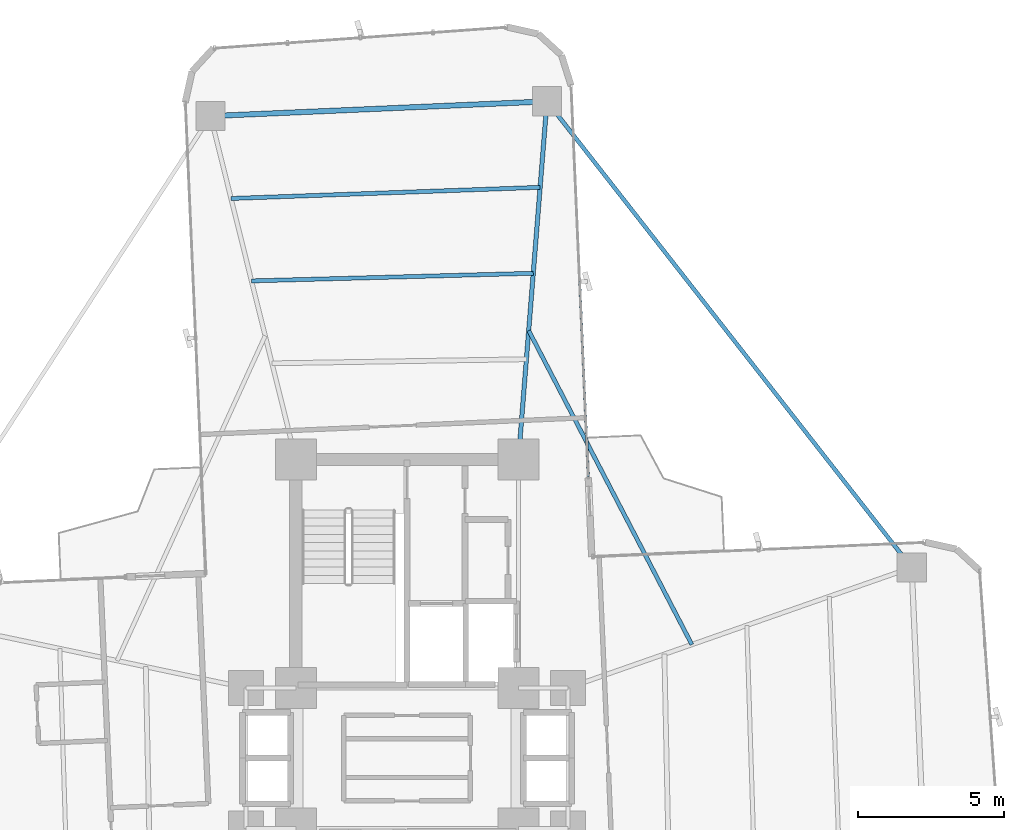
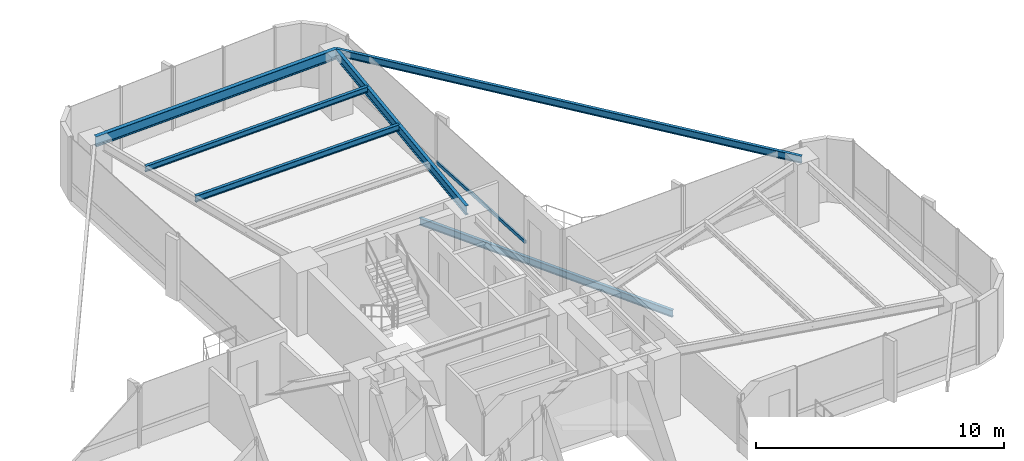
# One storey, part 18 of 26: 6 beams, 1 member, 1 element without a shape of its own.
"""IFC4 building model written with IfcOpenShell, lengths in metres."""

from ifc_helpers import new_model, si_unit, direction, frame, origin, origin_2d, place, context, subcontext, project, spatial, hollow_rectangle, i_section, extrude, source, transform, mapped, material, material_profile, profile_set, type_object, element, aggregate, save


model = new_model("IFC4")

# Units and contexts
model_context = context("Model", 3, precision=1e-05, world=origin(), true_north=direction((0.0, 1.0)))
body_context = subcontext(model_context, "Body", "Model", "MODEL_VIEW")
ifc_project = project(units=[si_unit("LENGTHUNIT", "METRE"), si_unit("AREAUNIT", "SQUARE_METRE"), si_unit("VOLUMEUNIT", "CUBIC_METRE"), si_unit("PLANEANGLEUNIT", "RADIAN"), si_unit("MASSUNIT", "GRAM", prefix="KILO")], contexts=[model_context])

# Site, building, storey
site_placement = place(None, origin())
site = spatial("IfcSite", under=ifc_project, at=site_placement, CompositionType="ELEMENT")
building_placement = place(site_placement, origin())
building = spatial("IfcBuilding", under=site, at=building_placement, Name="Sahyath Konkavel Grand Hotel", CompositionType="ELEMENT")
storey_placement = place(building_placement, frame((0.0, 0.0, 96.89990234375)))
storey = spatial("IfcBuildingStorey", under=building, at=storey_placement, Name="L26", CompositionType="ELEMENT", Elevation=96.89990234375)

# Beams
ifc_material_1 = material(Name="Steel E350", Category="steel")
ifc_material_profile_1 = material_profile(ifc_material_1, i_section(OverallWidth=0.14990234375, OverallDepth=0.449951171875, WebThickness=0.009521484375, FlangeThickness=0.017333984375, FilletRadius=0.014892578125, at=origin_2d()), Name="ISMB 450")
ifc_profile_set_1 = profile_set([ifc_material_profile_1], Name="Steel E350")
beam_type_1 = type_object("IfcBeamType", Name="BM-ISMB450", PredefinedType="BEAM", material=ifc_profile_set_1)
shared_shape_1 = source(origin(), body_context, "Body", "SweptSolid", [
    extrude(i_section(OverallWidth=0.14990234375, OverallDepth=0.449951171875, WebThickness=0.009521484375, FlangeThickness=0.017333984375, FilletRadius=0.014892578125, at=origin_2d()), origin(), (0.0, 0.0, 1.0), 12.2685546875),
])
beam_1_placement = place(storey_placement, frame((3.800048828125, 10.199951171875, 2.885009765625), z_axis=(0.079558563357, 0.996830193662, 0.0), x_axis=(-0.996830193662, 0.079558563357, 0.0)))
element("IfcBeam", 1, at=beam_1_placement, inside=storey, type_object=beam_type_1, Name="L26 Cruciform Radial Girder NA", PredefinedType="BEAM", context=body_context, shape_type="MappedRepresentation", body=[
    mapped(shared_shape_1, transform((0.0, 0.0, 0.0), scale=1.0)),
])
ifc_material_profile_2 = material_profile(ifc_material_1, i_section(OverallWidth=0.179931640625, OverallDepth=0.5, WebThickness=0.01025390625, FlangeThickness=0.01708984375, FilletRadius=0.01708984375, at=origin_2d()), Name="ISMB 500")
ifc_profile_set_2 = profile_set([ifc_material_profile_2], Name="Steel E350")
beam_type_2 = type_object("IfcBeamType", Name="BM-ISMB500", PredefinedType="BEAM", material=ifc_profile_set_2)
shared_shape_2 = source(origin(), body_context, "Body", "SweptSolid", [
    extrude(i_section(OverallWidth=0.179931640625, OverallDepth=0.5, WebThickness=0.01025390625, FlangeThickness=0.01708984375, FilletRadius=0.01708984375, at=origin_2d()), origin(), (0.0, 0.0, 1.0), 11.5),
])
beam_2_placement = place(storey_placement, frame((4.776123046875, 22.4296875, 2.860107421875), z_axis=(-0.99904788879, -0.043627008892, 0.0), x_axis=(0.043627008892, -0.99904788879, 0.0)))
element("IfcBeam", 2, at=beam_2_placement, inside=storey, type_object=beam_type_2, Name="L26 Wing Tip Edge Beam N", PredefinedType="BEAM", context=body_context, shape_type="MappedRepresentation", body=[
    mapped(shared_shape_2, transform((0.0, 0.0, 0.0), scale=1.0)),
])
ifc_material_profile_3 = material_profile(ifc_material_1, i_section(OverallWidth=0.139892578125, OverallDepth=0.35009765625, WebThickness=0.008056640625, FlangeThickness=0.01416015625, FilletRadius=0.013916015625, at=origin_2d()), Name="ISMB 350")
ifc_profile_set_3 = profile_set([ifc_material_profile_3], Name="Steel E350")
beam_type_3 = type_object("IfcBeamType", Name="BM-ISMB350", PredefinedType="BEAM", material=ifc_profile_set_3)
shared_shape_3 = source(origin(), body_context, "Body", "SweptSolid", [
    extrude(i_section(OverallWidth=0.139892578125, OverallDepth=0.35009765625, WebThickness=0.008056640625, FlangeThickness=0.01416015625, FilletRadius=0.013916015625, at=origin_2d()), origin(), (0.0, 0.0, 1.0), 20.215576171875),
])
beam_3_placement = place(storey_placement, frame((17.232421875, 6.5078125, 2.93505859375), z_axis=(-0.616176369687, 0.787608203004, 0.0), x_axis=(-0.787608203004, -0.616176369687, 0.0)))
element("IfcBeam", 3, at=beam_3_placement, inside=storey, type_object=beam_type_3, Name="L26 Re-Entrant Tie Beam NE", PredefinedType="BEAM", context=body_context, shape_type="MappedRepresentation", body=[
    mapped(shared_shape_3, transform((0.0, 0.0, 0.0), scale=1.0)),
])
ifc_material_profile_4 = material_profile(ifc_material_1, i_section(OverallWidth=0.139892578125, OverallDepth=0.300048828125, WebThickness=0.0078125, FlangeThickness=0.01318359375, FilletRadius=0.013916015625, at=origin_2d()), Name="ISMB 300")
ifc_profile_set_4 = profile_set([ifc_material_profile_4], Name="Steel E350")
beam_type_4 = type_object("IfcBeamType", Name="BM-ISMB300", PredefinedType="BEAM", material=ifc_profile_set_4)
shared_shape_4 = source(origin(), body_context, "Body", "SweptSolid", [
    extrude(i_section(OverallWidth=0.139892578125, OverallDepth=0.300048828125, WebThickness=0.0078125, FlangeThickness=0.01318359375, FilletRadius=0.013916015625, at=origin_2d()), origin(), (0.0, 0.0, 1.0), 9.625732421875),
])
beam_4_placement = place(storey_placement, frame((4.3076171875, 16.559326171875, 2.960205078125), z_axis=(-0.999633060528, -0.027087714933, 0.0), x_axis=(0.027087714933, -0.999633060528, 0.0)))
element("IfcBeam", 4, at=beam_4_placement, inside=storey, type_object=beam_type_4, Name="L26 Secondary Floor Beam N-2", PredefinedType="BEAM", context=body_context, shape_type="MappedRepresentation", body=[
    mapped(shared_shape_4, transform((0.0, 0.0, 0.0), scale=1.0)),
])
ifc_material_profile_5 = material_profile(ifc_material_1, i_section(OverallWidth=0.139892578125, OverallDepth=0.27490234375, WebThickness=0.00634765625, FlangeThickness=0.0087890625, FilletRadius=0.012939453125, at=origin_2d()), Name="ISLB 275")
ifc_profile_set_5 = profile_set([ifc_material_profile_5], Name="Steel E350")
beam_type_5 = type_object("IfcBeamType", Name="BM-ISLB275", PredefinedType="BEAM", material=ifc_profile_set_5)
shared_shape_5 = source(origin(), body_context, "Body", "SweptSolid", [
    extrude(i_section(OverallWidth=0.139892578125, OverallDepth=0.27490234375, WebThickness=0.00634765625, FlangeThickness=0.0087890625, FilletRadius=0.012939453125, at=origin_2d()), origin(), (0.0, 0.0, 1.0), 10.562744140625),
])
beam_5_placement = place(storey_placement, frame((4.5419921875, 19.49462890625, 2.97265625), z_axis=(-0.999348077295, -0.036102914095, 0.0), x_axis=(0.036102914095, -0.999348077295, 0.0)))
element("IfcBeam", 5, at=beam_5_placement, inside=storey, type_object=beam_type_5, Name="L26 Secondary Floor Beam N-3", PredefinedType="BEAM", context=body_context, shape_type="MappedRepresentation", body=[
    mapped(shared_shape_5, transform((0.0, 0.0, 0.0), scale=1.0)),
])

# Curtain wall, member
ifc_material_2 = material(Name="Anodised Bronze Aluminium & Low-E Glazing", Category="aluminium")
curtain_wall_type = type_object("IfcCurtainWallType", Name="CW-ZONE2", PredefinedType="NOTDEFINED", material=ifc_material_2)
curtain_wall_placement = place(storey_placement, origin())
curtain_wall = element("IfcCurtainWall", 6, at=curtain_wall_placement, inside=storey, type_object=curtain_wall_type, Name="L26 Unitised Curtain Wall F8", PredefinedType="NOTDEFINED")
ifc_material_3 = material(Name="Anodised Bronze Aluminium", Category="aluminium")
ifc_material_profile_6 = material_profile(ifc_material_3, hollow_rectangle(XDim=0.080078125, YDim=0.159912109375, WallThickness=0.006103515625, at=origin_2d()), Name="RHS 160x80x6")
ifc_profile_set_6 = profile_set([ifc_material_profile_6], Name="Anodised Bronze Aluminium")
member_type = type_object("IfcMemberType", Name="CW-TRN-160", PredefinedType="USERDEFINED", material=ifc_profile_set_6)
shared_shape_6 = source(origin(), body_context, "Body", "SweptSolid", [
    extrude(hollow_rectangle(XDim=0.080078125, YDim=0.159912109375, WallThickness=0.006103515625, at=origin_2d()), origin(), (0.0, 0.0, 1.0), 6.66015625),
])
member_placement = place(storey_placement, frame((6.186279296875, 9.618896484375, 0.85009765625), z_axis=(-0.043621753165, 0.999048118286, 0.0), x_axis=(-0.999048118286, -0.043621753165, 0.0)))
member = element("IfcMember", 7, at=member_placement, type_object=member_type, Name="L26 Curtain Wall Transom F8-0-spandrel", ObjectType="TRANSOM", PredefinedType="USERDEFINED", context=body_context, shape_type="MappedRepresentation", body=[
    mapped(shared_shape_6, transform((0.0, 0.0, 0.0), scale=1.0)),
])
aggregate(curtain_wall, [member])

# Beam
ifc_material_profile_7 = material_profile(ifc_material_1, i_section(OverallWidth=0.139892578125, OverallDepth=0.35009765625, WebThickness=0.008056640625, FlangeThickness=0.01416015625, FilletRadius=0.013916015625, at=origin_2d()), Name="ISMB 350")
ifc_profile_set_7 = profile_set([ifc_material_profile_7], Name="Steel E350")
beam_type_6 = type_object("IfcBeamType", Name="BM-BALC-CANT", PredefinedType="BEAM", material=ifc_profile_set_7)
shared_shape_7 = source(origin(), body_context, "Body", "SweptSolid", [
    extrude(i_section(OverallWidth=0.139892578125, OverallDepth=0.35009765625, WebThickness=0.008056640625, FlangeThickness=0.01416015625, FilletRadius=0.013916015625, at=origin_2d()), origin(), (0.0, 0.0, 1.0), 12.085205078125),
])
beam_6_placement = place(storey_placement, frame((9.7236328125, 3.87890625, -0.414794921875), z_axis=(-0.461082384626, 0.887357331962, 0.0), x_axis=(-0.887357331962, -0.461082384626, 0.0)))
element("IfcBeam", 8, at=beam_6_placement, inside=storey, type_object=beam_type_6, Name="L26 Balcony Cantilever Support Beam NE", PredefinedType="BEAM", context=body_context, shape_type="MappedRepresentation", body=[
    mapped(shared_shape_7, transform((0.0, 0.0, 0.0), scale=1.0)),
])

save(model, "model.ifc")
